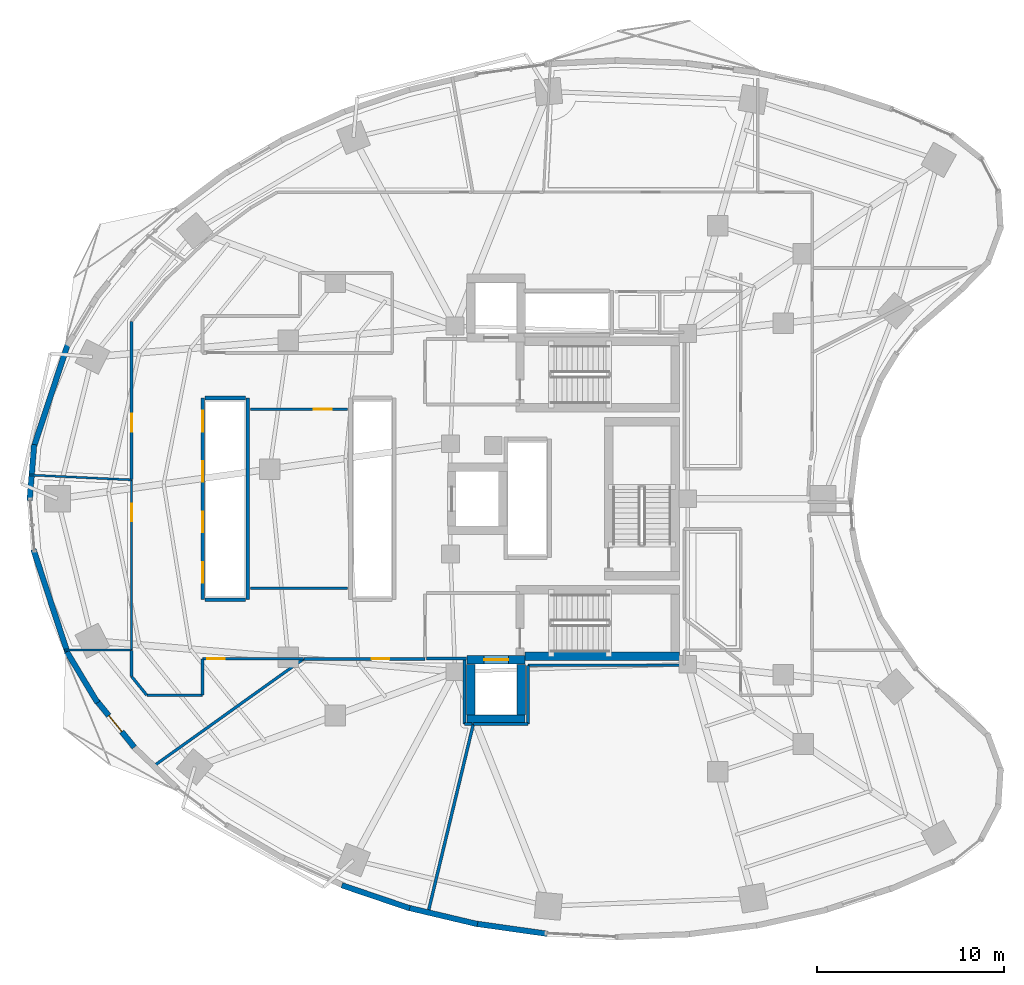
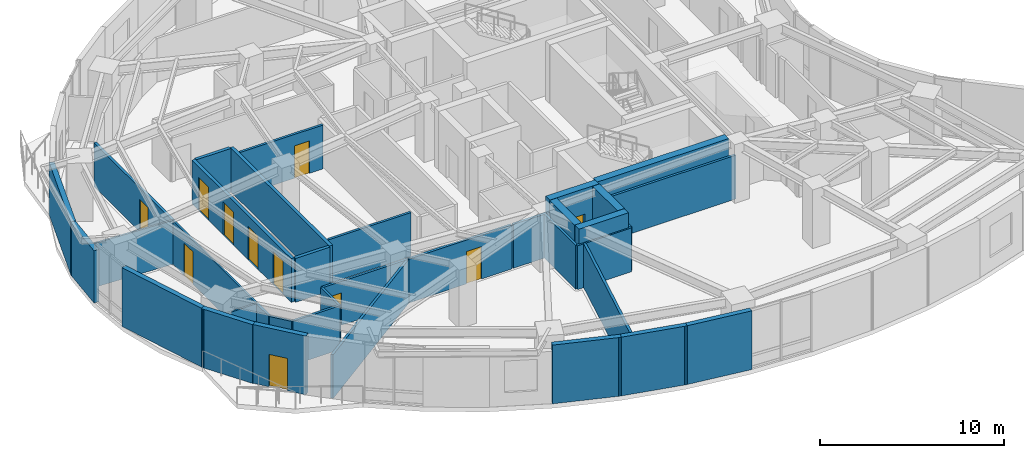
# One storey, part 8 of 15: 37 walls, 11 doors, 11 openings.
"""IFC4 building model written with IfcOpenShell, lengths in metres."""

from ifc_helpers import new_model, si_unit, direction, frame, frame_2d, origin, place, context, subcontext, project, spatial, rectangle, extrude, material, layer, layer_set, type_object, element, fill, save


model = new_model("IFC4")

# Units and contexts
model_context = context("Model", 3, precision=1e-05, world=origin(), true_north=direction((0.0, 1.0)))
body_context = subcontext(model_context, "Body", "Model", "MODEL_VIEW")
ifc_project = project(units=[si_unit("LENGTHUNIT", "METRE"), si_unit("AREAUNIT", "SQUARE_METRE"), si_unit("VOLUMEUNIT", "CUBIC_METRE"), si_unit("PLANEANGLEUNIT", "RADIAN"), si_unit("MASSUNIT", "GRAM", prefix="KILO")], contexts=[model_context])

# Site, building, storey
site_placement = place(None, origin())
site = spatial("IfcSite", under=ifc_project, at=site_placement, CompositionType="ELEMENT")
building_placement = place(site_placement, origin())
building = spatial("IfcBuilding", under=site, at=building_placement, Name="Korentha Bioscience Tower", CompositionType="ELEMENT")
storey_placement = place(building_placement, frame((0.0, 0.0, 30.0)))
storey = spatial("IfcBuildingStorey", under=building, at=storey_placement, Name="L06", CompositionType="ELEMENT", Elevation=30.0)

# Wall, opening, door
ifc_material_1 = material(Name="Double-Stud Acoustic Gypsum", Category="gypsum")
ifc_layer_1 = layer(ifc_material_1, 0.14990234375, Name="Double-Stud Acoustic Gypsum")
ifc_layer_set_1 = layer_set([ifc_layer_1], Name="Double-Stud Acoustic Gypsum (IW-L150)")
wall_type_1 = type_object("IfcWallType", Name="Acoustic Laboratory Partition Wall 150", PredefinedType="PARTITIONING", material=ifc_layer_set_1)
wall_1_placement = place(storey_placement, frame((14.159912109375, 31.7900390625, 0.0), z_axis=(0.0, 0.0, 1.0), x_axis=(1.0, 0.0, 0.0)))
wall_1 = element("IfcWall", 1, at=wall_1_placement, inside=storey, type_object=wall_type_1, Name="L06 Principal Investigator Office 01 Entrance Wall", PredefinedType="PARTITIONING", context=body_context, shape_type="SweptSolid", body=[
    extrude(rectangle(XDim=5.18017578125, YDim=0.14990234375, at=frame_2d((2.590087890625, 0.0))), origin(), (0.0, 0.0, 1.0), 2.909912109375),
])
opening_1_placement = place(wall_1_placement, frame((3.37841796875, 0.0, 0.0)))
opening_1 = element("IfcOpeningElement", 2, at=opening_1_placement, cuts=wall_1, Name="Opening ID-10L", PredefinedType="OPENING", context=body_context, shape_type="SweptSolid", body=[
    extrude(rectangle(XDim=0.949951171875, YDim=2.14990234375, at=frame_2d((0.47509765625, 1.074951171875))), frame((0.0, 0.08984375, 0.0), z_axis=(0.0, -1.0, 0.0), x_axis=(1.0, 0.0, 0.0)), (0.0, 0.0, 1.0), 0.1796875),
])
ifc_material_2 = material(Name="Phenolic Laminate Timber Core", Category="wood")
door_type_1 = type_object("IfcDoorType", Name="Laboratory Single Leaf Door 950x2150 Left", OperationType="SINGLE_SWING_LEFT", PredefinedType="DOOR", material=ifc_material_2)
door_1_placement = place(opening_1_placement, origin())
door_1 = element("IfcDoor", 3, at=door_1_placement, inside=storey, type_object=door_type_1, Name="L06 Principal Investigator Office 01 Door", OperationType="SINGLE_SWING_LEFT", OverallHeight=2.14990234375, OverallWidth=0.949951171875, PredefinedType="DOOR", context=body_context, shape_type="SweptSolid", body=[
    extrude(rectangle(XDim=0.949951171875, YDim=2.14990234375, at=frame_2d((0.47509765625, 1.074951171875))), frame((0.0, 0.02490234375, 0.0), z_axis=(0.0, -1.0, 0.0), x_axis=(1.0, 0.0, 0.0)), (0.0, 0.0, 1.0), 0.050048828125),
])
fill(opening_1, door_1)

wall_2_placement = place(storey_placement, frame((11.590087890625, 18.43994140625, 0.0), z_axis=(0.0, 0.0, 1.0), x_axis=(1.0, 0.0, 0.0)))
wall_2 = element("IfcWall", 4, at=wall_2_placement, inside=storey, type_object=wall_type_1, Name="L06 Staff Pantry Kitchenette 03 Entrance Wall", PredefinedType="PARTITIONING", context=body_context, shape_type="SweptSolid", body=[
    extrude(rectangle(XDim=5.4111328125, YDim=0.14990234375, at=frame_2d((2.70556640625, 0.0))), origin(), (0.0, 0.0, 1.0), 2.909912109375),
])
opening_2_placement = place(wall_2_placement, frame((0.239990234375, 0.0, 0.0)))
opening_2 = element("IfcOpeningElement", 5, at=opening_2_placement, cuts=wall_2, Name="Opening ID-10L", PredefinedType="OPENING", context=body_context, shape_type="SweptSolid", body=[
    extrude(rectangle(XDim=0.949951171875, YDim=2.14990234375, at=frame_2d((0.47509765625, 1.074951171875))), frame((0.0, 0.08984375, 0.0), z_axis=(0.0, -1.0, 0.0), x_axis=(1.0, 0.0, 0.0)), (0.0, 0.0, 1.0), 0.1796875),
])
door_2_placement = place(opening_2_placement, origin())
door_2 = element("IfcDoor", 6, at=door_2_placement, inside=storey, type_object=door_type_1, Name="L06 Staff Pantry Kitchenette 03 Door", OperationType="SINGLE_SWING_LEFT", OverallHeight=2.14990234375, OverallWidth=0.949951171875, PredefinedType="DOOR", context=body_context, shape_type="SweptSolid", body=[
    extrude(rectangle(XDim=0.949951171875, YDim=2.14990234375, at=frame_2d((0.47509765625, 1.074951171875))), frame((0.0, 0.02490234375, 0.0), z_axis=(0.0, -1.0, 0.0), x_axis=(1.0, 0.0, 0.0)), (0.0, 0.0, 1.0), 0.050048828125),
])
fill(opening_2, door_2)

# Walls
wall_3_placement = place(storey_placement, frame((19.340087890625, 22.2099609375, 0.0), z_axis=(0.0, 0.0, 1.0), x_axis=(-1.0, 0.0, 0.0)))
element("IfcWall", 7, at=wall_3_placement, inside=storey, type_object=wall_type_1, Name="L06 Interior Partition 020", PredefinedType="PARTITIONING", context=body_context, shape_type="SweptSolid", body=[
    extrude(rectangle(XDim=5.18017578125, YDim=0.14990234375, at=frame_2d((2.590087890625, 0.0))), origin(), (0.0, 0.0, 1.0), 2.909912109375),
])
wall_4_placement = place(storey_placement, frame((7.7900390625, 18.89208984375, 0.0), z_axis=(0.0, 0.0, 1.0), x_axis=(0.0, -1.0, 0.0)))
element("IfcWall", 8, at=wall_4_placement, inside=storey, type_object=wall_type_1, Name="L06 Interior Partition 023", PredefinedType="PARTITIONING", context=body_context, shape_type="SweptSolid", body=[
    extrude(rectangle(XDim=1.393310546875, YDim=0.14990234375, at=frame_2d((0.69677734375, 0.0))), origin(), (0.0, 0.0, 1.0), 2.909912109375),
])
wall_5_placement = place(storey_placement, frame((7.792236328125, 17.492431640625, 0.0), z_axis=(0.0, 0.0, 1.0), x_axis=(0.629225554682, -0.777222748854, 0.0)))
element("IfcWall", 9, at=wall_5_placement, inside=storey, type_object=wall_type_1, Name="L06 Interior Partition 024", PredefinedType="PARTITIONING", context=body_context, shape_type="SweptSolid", body=[
    extrude(rectangle(XDim=1.28515625, YDim=0.14990234375, at=frame_2d((0.642578125, 0.0))), origin(), (0.0, 0.0, 1.0), 2.909912109375),
])
wall_6_placement = place(storey_placement, frame((8.608642578125, 16.489990234375, 0.0), z_axis=(0.0, 0.0, 1.0), x_axis=(1.0, 0.0, 0.0)))
element("IfcWall", 10, at=wall_6_placement, inside=storey, type_object=wall_type_1, Name="L06 Interior Partition 025", PredefinedType="PARTITIONING", context=body_context, shape_type="SweptSolid", body=[
    extrude(rectangle(XDim=2.971435546875, YDim=0.14990234375, at=frame_2d((1.48583984375, 0.0))), origin(), (0.0, 0.0, 1.0), 2.909912109375),
])
wall_7_placement = place(storey_placement, frame((11.590087890625, 16.5, 0.0), z_axis=(0.0, 0.0, 1.0), x_axis=(0.0, 1.0, 0.0)))
element("IfcWall", 11, at=wall_7_placement, inside=storey, type_object=wall_type_1, Name="L06 Interior Partition 026", PredefinedType="PARTITIONING", context=body_context, shape_type="SweptSolid", body=[
    extrude(rectangle(XDim=1.93994140625, YDim=0.14990234375, at=frame_2d((0.969970703125, 0.0))), origin(), (0.0, 0.0, 1.0), 2.909912109375),
])
wall_8_placement = place(storey_placement, frame((17.001220703125, 18.43994140625, 0.0), z_axis=(0.0, 0.0, 1.0), x_axis=(-0.813397935838, -0.581707656796, 0.0)))
element("IfcWall", 12, at=wall_8_placement, inside=storey, type_object=wall_type_1, Name="L06 Interior Partition 027", PredefinedType="PARTITIONING", context=body_context, shape_type="SweptSolid", body=[
    extrude(rectangle(XDim=9.984130859375, YDim=0.14990234375, at=frame_2d((4.9921875, 0.0))), origin(), (0.0, 0.0, 1.0), 2.909912109375),
])
wall_9_placement = place(storey_placement, frame((29.0, 14.9541015625, 0.0), z_axis=(0.0, 0.0, 1.0), x_axis=(0.0, 1.0, 0.0)))
element("IfcWall", 13, at=wall_9_placement, inside=storey, type_object=wall_type_1, Name="L06 Interior Partition 031", PredefinedType="PARTITIONING", context=body_context, shape_type="SweptSolid", body=[
    extrude(rectangle(XDim=3.135986328125, YDim=0.14990234375, at=frame_2d((1.56787109375, 0.0))), origin(), (0.0, 0.0, 1.0), 2.909912109375),
])
wall_10_placement = place(storey_placement, frame((29.0, 18.090087890625, 0.0), z_axis=(0.0, 0.0, 1.0), x_axis=(1.0, 0.0, 0.0)))
element("IfcWall", 14, at=wall_10_placement, inside=storey, type_object=wall_type_1, Name="L06 Interior Partition 032", PredefinedType="PARTITIONING", context=body_context, shape_type="SweptSolid", body=[
    extrude(rectangle(XDim=8.35009765625, YDim=0.14990234375, at=frame_2d((4.175048828125, 0.0))), origin(), (0.0, 0.0, 1.0), 2.909912109375),
])
wall_11_placement = place(storey_placement, frame((26.088623046875, 14.949951171875, 0.0), z_axis=(0.0, 0.0, 1.0), x_axis=(1.0, 0.0, 0.0)))
element("IfcWall", 15, at=wall_11_placement, inside=storey, type_object=wall_type_1, Name="L06 Interior Partition 039", PredefinedType="PARTITIONING", context=body_context, shape_type="SweptSolid", body=[
    extrude(rectangle(XDim=2.9072265625, YDim=0.14990234375, at=frame_2d((1.45361328125, 0.0))), origin(), (0.0, 0.0, 1.0), 2.909912109375),
])

# Wall, opening, door
ifc_material_3 = material(Name="Fire-Rated Framed Glass", Category="glass")
ifc_layer_2 = layer(ifc_material_3, 0.110107421875, Name="Fire-Rated Framed Glass")
ifc_layer_set_2 = layer_set([ifc_layer_2], Name="Fire-Rated Framed Glass (IW-G110)")
wall_type_2 = type_object("IfcWallType", Name="Demountable Glazed Office Partition 110", PredefinedType="MOVABLE", material=ifc_layer_set_2)
wall_12_placement = place(storey_placement, frame((7.7900390625, 28.012939453125, 0.0), z_axis=(0.0, 0.0, 1.0), x_axis=(0.0, -1.0, 0.0)))
wall_12 = element("IfcWall", 16, at=wall_12_placement, inside=storey, type_object=wall_type_2, Name="L06 Research Colloquium Seminar Room 02 Entrance Wall", PredefinedType="MOVABLE", context=body_context, shape_type="SweptSolid", body=[
    extrude(rectangle(XDim=9.11083984375, YDim=0.110107421875, at=frame_2d((4.555419921875, 0.0))), origin(), (0.0, 0.0, 1.0), 2.909912109375),
])
opening_3_placement = place(wall_12_placement, frame((1.273193359375, 0.0, 0.0)))
opening_3 = element("IfcOpeningElement", 17, at=opening_3_placement, cuts=wall_12, Name="Opening ID-10R", PredefinedType="OPENING", context=body_context, shape_type="SweptSolid", body=[
    extrude(rectangle(XDim=0.949951171875, YDim=2.14990234375, at=frame_2d((0.47509765625, 1.074951171875))), frame((0.0, 0.06982421875, 0.0), z_axis=(0.0, -1.0, 0.0), x_axis=(1.0, 0.0, 0.0)), (0.0, 0.0, 1.0), 0.139892578125),
])
door_type_2 = type_object("IfcDoorType", Name="Laboratory Single Leaf Door 950x2150 Right", OperationType="SINGLE_SWING_RIGHT", PredefinedType="DOOR", material=ifc_material_2)
door_3_placement = place(opening_3_placement, origin())
door_3 = element("IfcDoor", 18, at=door_3_placement, inside=storey, type_object=door_type_2, Name="L06 Research Colloquium Seminar Room 02 Door", OperationType="SINGLE_SWING_RIGHT", OverallHeight=2.14990234375, OverallWidth=0.949951171875, PredefinedType="DOOR", context=body_context, shape_type="SweptSolid", body=[
    extrude(rectangle(XDim=0.949951171875, YDim=2.14990234375, at=frame_2d((0.47509765625, 1.074951171875))), frame((0.0, 0.02490234375, 0.0), z_axis=(0.0, -1.0, 0.0), x_axis=(1.0, 0.0, 0.0)), (0.0, 0.0, 1.0), 0.050048828125),
])
fill(opening_3, door_3)

# Walls
wall_13_placement = place(storey_placement, frame((2.323486328125, 28.274658203125, 0.0), z_axis=(0.0, 0.0, 1.0), x_axis=(0.998855892644, -0.047821603185, 0.0)))
element("IfcWall", 19, at=wall_13_placement, inside=storey, type_object=wall_type_2, Name="L06 Interior Partition 021", PredefinedType="MOVABLE", context=body_context, shape_type="SweptSolid", body=[
    extrude(rectangle(XDim=5.472900390625, YDim=0.110107421875, at=frame_2d((2.736328125, 0.0))), origin(), (0.0, 0.0, 1.0), 2.909912109375),
])
wall_14_placement = place(storey_placement, frame((7.7900390625, 18.902099609375, 0.0), z_axis=(0.0, 0.0, 1.0), x_axis=(-1.0, 0.0, 0.0)))
element("IfcWall", 20, at=wall_14_placement, inside=storey, type_object=wall_type_2, Name="L06 Interior Partition 022", PredefinedType="MOVABLE", context=body_context, shape_type="SweptSolid", body=[
    extrude(rectangle(XDim=3.595947265625, YDim=0.110107421875, at=frame_2d((1.7978515625, 0.0))), origin(), (0.0, 0.0, 1.0), 2.909912109375),
])
ifc_material_4 = material(Name="Gypsum-Clad Steel Stud", Category="steel")
ifc_layer_3 = layer(ifc_material_4, 0.159912109375, Name="Gypsum-Clad Steel Stud")
ifc_layer_set_3 = layer_set([ifc_layer_3], Name="Gypsum-Clad Steel Stud (IW-C160)")
wall_type_3 = type_object("IfcWallType", Name="Fire-Rated Corridor Partition Wall 160", PredefinedType="PARTITIONING", material=ifc_layer_set_3)
wall_15_placement = place(storey_placement, frame((23.580078125, 18.449951171875, 0.0), z_axis=(0.0, 0.0, 1.0), x_axis=(1.0, 0.0, 0.0)))
element("IfcWall", 21, at=wall_15_placement, inside=storey, type_object=wall_type_3, Name="L06 Firefighting Lobby Return Wall FFLS-S", PredefinedType="PARTITIONING", context=body_context, shape_type="SweptSolid", body=[
    extrude(rectangle(XDim=2.119873046875, YDim=0.159912109375, at=frame_2d((1.06005859375, 0.0))), origin(), (0.0, 0.0, 1.0), 2.909912109375),
])

# Wall, opening, door
wall_16_placement = place(storey_placement, frame((17.010986328125, 18.43994140625, 0.0), z_axis=(0.0, 0.0, 1.0), x_axis=(1.0, 0.0, 0.0)))
wall_16 = element("IfcWall", 22, at=wall_16_placement, inside=storey, type_object=wall_type_3, Name="L06 Biospecimen Archive Store 04 Entrance Wall", PredefinedType="PARTITIONING", context=body_context, shape_type="SweptSolid", body=[
    extrude(rectangle(XDim=6.47900390625, YDim=0.159912109375, at=frame_2d((3.239501953125, 0.0))), origin(), (0.0, 0.0, 1.0), 2.909912109375),
])
opening_4_placement = place(wall_16_placement, frame((3.618896484375, 0.0, 0.0)))
opening_4 = element("IfcOpeningElement", 23, at=opening_4_placement, cuts=wall_16, Name="Opening ID-10R", PredefinedType="OPENING", context=body_context, shape_type="SweptSolid", body=[
    extrude(rectangle(XDim=0.949951171875, YDim=2.14990234375, at=frame_2d((0.47509765625, 1.074951171875))), frame((0.0, 0.0947265625, 0.0), z_axis=(0.0, -1.0, 0.0), x_axis=(1.0, 0.0, 0.0)), (0.0, 0.0, 1.0), 0.189697265625),
])
door_4_placement = place(opening_4_placement, origin())
door_4 = element("IfcDoor", 24, at=door_4_placement, inside=storey, type_object=door_type_2, Name="L06 Biospecimen Archive Store 04 Door", OperationType="SINGLE_SWING_RIGHT", OverallHeight=2.14990234375, OverallWidth=0.949951171875, PredefinedType="DOOR", context=body_context, shape_type="SweptSolid", body=[
    extrude(rectangle(XDim=0.949951171875, YDim=2.14990234375, at=frame_2d((0.47509765625, 1.074951171875))), frame((0.0, 0.02490234375, 0.0), z_axis=(0.0, -1.0, 0.0), x_axis=(1.0, 0.0, 0.0)), (0.0, 0.0, 1.0), 0.050048828125),
])
fill(opening_4, door_4)

wall_17_placement = place(storey_placement, frame((7.7900390625, 36.501220703125, 0.0), z_axis=(0.0, 0.0, 1.0), x_axis=(0.0, -1.0, 0.0)))
wall_17 = element("IfcWall", 25, at=wall_17_placement, inside=storey, type_object=wall_type_3, Name="L06 Instrument Calibration Workshop 16 Entrance Wall", PredefinedType="PARTITIONING", context=body_context, shape_type="SweptSolid", body=[
    extrude(rectangle(XDim=8.478271484375, YDim=0.159912109375, at=frame_2d((4.2392578125, 0.0))), origin(), (0.0, 0.0, 1.0), 2.909912109375),
])
opening_5_placement = place(wall_17_placement, frame((4.9501953125, 0.0, 0.0)))
opening_5 = element("IfcOpeningElement", 26, at=opening_5_placement, cuts=wall_17, Name="Opening ID-10R", PredefinedType="OPENING", context=body_context, shape_type="SweptSolid", body=[
    extrude(rectangle(XDim=0.949951171875, YDim=2.14990234375, at=frame_2d((0.47509765625, 1.074951171875))), frame((0.0, 0.0947265625, 0.0), z_axis=(0.0, -1.0, 0.0), x_axis=(1.0, 0.0, 0.0)), (0.0, 0.0, 1.0), 0.189697265625),
])
door_5_placement = place(opening_5_placement, origin())
door_5 = element("IfcDoor", 27, at=door_5_placement, inside=storey, type_object=door_type_2, Name="L06 Instrument Calibration Workshop 16 Door", OperationType="SINGLE_SWING_RIGHT", OverallHeight=2.14990234375, OverallWidth=0.949951171875, PredefinedType="DOOR", context=body_context, shape_type="SweptSolid", body=[
    extrude(rectangle(XDim=0.949951171875, YDim=2.14990234375, at=frame_2d((0.47509765625, 1.074951171875))), frame((0.0, 0.02490234375, 0.0), z_axis=(0.0, -1.0, 0.0), x_axis=(1.0, 0.0, 0.0)), (0.0, 0.0, 1.0), 0.050048828125),
])
fill(opening_5, door_5)

# Walls
wall_18_placement = place(storey_placement, frame((25.60009765625, 18.43603515625, 0.0), z_axis=(0.0, 0.0, 1.0), x_axis=(0.0, -1.0, 0.0)))
element("IfcWall", 28, at=wall_18_placement, inside=storey, type_object=wall_type_3, Name="L06 Interior Partition 028", PredefinedType="PARTITIONING", context=body_context, shape_type="SweptSolid", body=[
    extrude(rectangle(XDim=3.48193359375, YDim=0.159912109375, at=frame_2d((1.740966796875, 0.0))), origin(), (0.0, 0.0, 1.0), 2.909912109375),
])
wall_19_placement = place(storey_placement, frame((25.60400390625, 14.949951171875, 0.0), z_axis=(0.0, 0.0, 1.0), x_axis=(1.0, 0.0, 0.0)))
element("IfcWall", 29, at=wall_19_placement, inside=storey, type_object=wall_type_3, Name="L06 Interior Partition 029", PredefinedType="PARTITIONING", context=body_context, shape_type="SweptSolid", body=[
    extrude(rectangle(XDim=0.389404296875, YDim=0.159912109375, at=frame_2d((0.19482421875, 0.0))), origin(), (0.0, 0.0, 1.0), 2.909912109375),
])
wall_20_placement = place(storey_placement, frame((26.07861328125, 14.949951171875, 0.0), z_axis=(0.0, 0.0, 1.0), x_axis=(-0.233446881406, -0.972369556065, 0.0)))
element("IfcWall", 30, at=wall_20_placement, inside=storey, type_object=wall_type_3, Name="L06 Interior Partition 030", PredefinedType="PARTITIONING", context=body_context, shape_type="SweptSolid", body=[
    extrude(rectangle(XDim=10.491455078125, YDim=0.159912109375, at=frame_2d((5.24560546875, 0.0))), origin(), (0.0, 0.0, 1.0), 2.909912109375),
])

# Wall, opening, door
ifc_material_5 = material(Name="Honed Limestone Precast Concrete C40", Category="masonry")
ifc_layer_4 = layer(ifc_material_5, 0.300048828125, Name="Honed Limestone Precast Concrete C40")
ifc_layer_set_4 = layer_set([ifc_layer_4], Name="Honed Limestone Precast Concrete C40 (EW-ST300)")
wall_type_4 = type_object("IfcWallType", Name="Honed Limestone Cavity Spandrel Wall 300", PredefinedType="STANDARD", material=ifc_layer_set_4)
wall_21_placement = place(storey_placement, frame((5.893798828125, 16.229736328125, 0.0), z_axis=(0.0, 0.0, 1.0), x_axis=(0.629295540187, -0.777166084631, 0.0)))
wall_21 = element("IfcWall", 31, at=wall_21_placement, inside=storey, type_object=wall_type_4, Name="L06 Balcony Threshold Wall 03", PredefinedType="STANDARD", context=body_context, shape_type="SweptSolid", body=[
    extrude(rectangle(XDim=3.24755859375, YDim=0.300048828125, at=frame_2d((1.623779296875, 0.0))), origin(), (0.0, 0.0, 1.0), 3.89990234375),
])
opening_6_placement = place(wall_21_placement, frame((1.07373046875, 0.0, 0.0)))
opening_6 = element("IfcOpeningElement", 32, at=opening_6_placement, cuts=wall_21, Name="Opening BD-11L", PredefinedType="OPENING", context=body_context, shape_type="SweptSolid", body=[
    extrude(rectangle(XDim=1.10009765625, YDim=2.14990234375, at=frame_2d((0.550048828125, 1.074951171875))), frame((0.0, 0.1650390625, 0.0), z_axis=(0.0, -1.0, 0.0), x_axis=(1.0, 0.0, 0.0)), (0.0, 0.0, 1.0), 0.329833984375),
])
ifc_material_6 = material(Name="Thermally Broken Glazed Aluminium", Category="aluminium")
door_type_3 = type_object("IfcDoorType", Name="Balcony Terrace Glazed Door 1100x2150 Left", OperationType="SINGLE_SWING_LEFT", PredefinedType="DOOR", material=ifc_material_6)
door_6_placement = place(opening_6_placement, origin())
door_6 = element("IfcDoor", 33, at=door_6_placement, inside=storey, type_object=door_type_3, Name="L06 Balcony Access Door 03", OperationType="SINGLE_SWING_LEFT", OverallHeight=2.14990234375, OverallWidth=1.10009765625, PredefinedType="DOOR", context=body_context, shape_type="SweptSolid", body=[
    extrude(rectangle(XDim=1.10009765625, YDim=2.14990234375, at=frame_2d((0.550048828125, 1.074951171875))), frame((0.0, 0.02490234375, 0.0), z_axis=(0.0, -1.0, 0.0), x_axis=(1.0, 0.0, 0.0)), (0.0, 0.0, 1.0), 0.050048828125),
])
fill(opening_6, door_6)

# Walls
wall_22_placement = place(storey_placement, frame((4.404296875, 35.361083984375, 0.0), z_axis=(0.0, 0.0, 1.0), x_axis=(-0.31372816724, -0.949512841978, 0.0)))
element("IfcWall", 34, at=wall_22_placement, inside=storey, type_object=wall_type_4, Name="L06 Limestone Perimeter Closure Wall 16", PredefinedType="STANDARD", context=body_context, shape_type="SweptSolid", body=[
    extrude(rectangle(XDim=5.950927734375, YDim=0.300048828125, at=frame_2d((2.9755859375, 0.0))), origin(), (0.0, 0.0, 1.0), 3.469970703125),
])
wall_23_placement = place(storey_placement, frame((2.57568359375, 29.899169921875, 0.0), z_axis=(0.0, 0.0, 1.0), x_axis=(-0.080890160317, -0.996723021689, 0.0)))
element("IfcWall", 35, at=wall_23_placement, inside=storey, type_object=wall_type_4, Name="L06 Limestone Perimeter Closure Wall 18", PredefinedType="STANDARD", context=body_context, shape_type="SweptSolid", body=[
    extrude(rectangle(XDim=3.0, YDim=0.300048828125, at=frame_2d((1.5, 0.0))), origin(), (0.0, 0.0, 1.0), 3.469970703125),
])
wall_24_placement = place(storey_placement, frame((2.537353515625, 24.289306640625, 0.0), z_axis=(0.0, 0.0, 1.0), x_axis=(0.31372816724, -0.949512841978, 0.0)))
element("IfcWall", 36, at=wall_24_placement, inside=storey, type_object=wall_type_4, Name="L06 Limestone Perimeter Closure Wall 20", PredefinedType="STANDARD", context=body_context, shape_type="SweptSolid", body=[
    extrude(rectangle(XDim=5.950927734375, YDim=0.300048828125, at=frame_2d((2.9755859375, 0.0))), origin(), (0.0, 0.0, 1.0), 3.89990234375),
])
wall_25_placement = place(storey_placement, frame((4.324951171875, 18.8115234375, 0.0), z_axis=(0.0, 0.0, 1.0), x_axis=(0.516423528484, -0.856333310825, 0.0)))
element("IfcWall", 37, at=wall_25_placement, inside=storey, type_object=wall_type_4, Name="L06 Limestone Perimeter Closure Wall 22", PredefinedType="STANDARD", context=body_context, shape_type="SweptSolid", body=[
    extrude(rectangle(XDim=3.1826171875, YDim=0.300048828125, at=frame_2d((1.59130859375, 0.0))), origin(), (0.0, 0.0, 1.0), 3.89990234375),
])
wall_26_placement = place(storey_placement, frame((19.0400390625, 6.32080078125, 0.0), z_axis=(0.0, 0.0, 1.0), x_axis=(0.94702579403, -0.321157508773, 0.0)))
element("IfcWall", 38, at=wall_26_placement, inside=storey, type_object=wall_type_4, Name="L06 Limestone Perimeter Closure Wall 28", PredefinedType="STANDARD", context=body_context, shape_type="SweptSolid", body=[
    extrude(rectangle(XDim=3.829833984375, YDim=0.300048828125, at=frame_2d((1.9150390625, 0.0))), origin(), (0.0, 0.0, 1.0), 3.89990234375),
])
wall_27_placement = place(storey_placement, frame((22.50048828125, 5.138427734375, 0.0), z_axis=(0.0, 0.0, 1.0), x_axis=(0.973197600754, -0.229970497863, 0.0)))
element("IfcWall", 39, at=wall_27_placement, inside=storey, type_object=wall_type_4, Name="L06 Limestone Perimeter Closure Wall 29", PredefinedType="STANDARD", context=body_context, shape_type="SweptSolid", body=[
    extrude(rectangle(XDim=3.9013671875, YDim=0.300048828125, at=frame_2d((1.95068359375, 0.0))), origin(), (0.0, 0.0, 1.0), 3.89990234375),
])
wall_28_placement = place(storey_placement, frame((26.127685546875, 4.273193359375, 0.0), z_axis=(0.0, 0.0, 1.0), x_axis=(0.990165832998, -0.139898617443, 0.0)))
element("IfcWall", 40, at=wall_28_placement, inside=storey, type_object=wall_type_4, Name="L06 Limestone Perimeter Closure Wall 30", PredefinedType="STANDARD", context=body_context, shape_type="SweptSolid", body=[
    extrude(rectangle(XDim=3.950927734375, YDim=0.300048828125, at=frame_2d((1.9755859375, 0.0))), origin(), (0.0, 0.0, 1.0), 3.89990234375),
])

# Wall, openings, doors
ifc_material_7 = material(Name="Autoclaved Aerated Concrete Block C25", Category="concrete")
ifc_layer_5 = layer(ifc_material_7, 0.199951171875, Name="Autoclaved Aerated Concrete Block C25")
ifc_layer_set_5 = layer_set([ifc_layer_5], Name="Autoclaved Aerated Concrete Block C25 (IW-S200)")
wall_type_5 = type_object("IfcWallType", Name="Lift and Riser Shaft Enclosure Wall 200", PredefinedType="PARTITIONING", material=ifc_layer_set_5)
wall_29_placement = place(storey_placement, frame((11.60009765625, 21.60009765625, 0.0), z_axis=(0.0, 0.0, 1.0), x_axis=(0.0, 1.0, 0.0)))
wall_29 = element("IfcWall", 41, at=wall_29_placement, inside=storey, type_object=wall_type_5, Name="L06 Lift Bank LOW Shaft Wall -X", PredefinedType="PARTITIONING", context=body_context, shape_type="SweptSolid", body=[
    extrude(rectangle(XDim=10.7998046875, YDim=0.199951171875, at=frame_2d((5.39990234375, 0.0))), origin(), (0.0, 0.0, 1.0), 2.909912109375),
])
opening_7_placement = place(wall_29_placement, frame((0.89990234375, 0.0, 0.0)))
opening_7 = element("IfcOpeningElement", 42, at=opening_7_placement, cuts=wall_29, Name="Opening LD-11", PredefinedType="OPENING", context=body_context, shape_type="SweptSolid", body=[
    extrude(rectangle(XDim=1.10009765625, YDim=2.199951171875, at=frame_2d((0.550048828125, 1.10009765625))), frame((0.0, 0.11474609375, 0.0), z_axis=(0.0, -1.0, 0.0), x_axis=(1.0, 0.0, 0.0)), (0.0, 0.0, 1.0), 0.229736328125),
])
opening_8_placement = place(wall_29_placement, frame((3.60009765625, 0.0, 0.0)))
opening_8 = element("IfcOpeningElement", 43, at=opening_8_placement, cuts=wall_29, Name="Opening LD-11", PredefinedType="OPENING", context=body_context, shape_type="SweptSolid", body=[
    extrude(rectangle(XDim=1.10009765625, YDim=2.199951171875, at=frame_2d((0.550048828125, 1.10009765625))), frame((0.0, 0.11474609375, 0.0), z_axis=(0.0, -1.0, 0.0), x_axis=(1.0, 0.0, 0.0)), (0.0, 0.0, 1.0), 0.229736328125),
])
opening_9_placement = place(wall_29_placement, frame((6.300048828125, 0.0, 0.0)))
opening_9 = element("IfcOpeningElement", 44, at=opening_9_placement, cuts=wall_29, Name="Opening LD-11", PredefinedType="OPENING", context=body_context, shape_type="SweptSolid", body=[
    extrude(rectangle(XDim=1.10009765625, YDim=2.199951171875, at=frame_2d((0.550048828125, 1.10009765625))), frame((0.0, 0.11474609375, 0.0), z_axis=(0.0, -1.0, 0.0), x_axis=(1.0, 0.0, 0.0)), (0.0, 0.0, 1.0), 0.229736328125),
])
opening_10_placement = place(wall_29_placement, frame((9.0, 0.0, 0.0)))
opening_10 = element("IfcOpeningElement", 45, at=opening_10_placement, cuts=wall_29, Name="Opening LD-11", PredefinedType="OPENING", context=body_context, shape_type="SweptSolid", body=[
    extrude(rectangle(XDim=1.10009765625, YDim=2.199951171875, at=frame_2d((0.550048828125, 1.10009765625))), frame((0.0, 0.11474609375, 0.0), z_axis=(0.0, -1.0, 0.0), x_axis=(1.0, 0.0, 0.0)), (0.0, 0.0, 1.0), 0.229736328125),
])
ifc_material_8 = material(Name="Brushed Stainless Steel 304", Category="steel")
door_type_4 = type_object("IfcDoorType", Name="Passenger Lift Sliding Landing Door 1100x2200", OperationType="DOUBLE_DOOR_SLIDING", PredefinedType="DOOR", material=ifc_material_8)
door_7_placement = place(opening_7_placement, origin())
door_7 = element("IfcDoor", 46, at=door_7_placement, inside=storey, type_object=door_type_4, Name="L06 PL-L1 Sliding Lift Landing Door", OperationType="DOUBLE_DOOR_SLIDING", OverallHeight=2.199951171875, OverallWidth=1.10009765625, PredefinedType="DOOR", context=body_context, shape_type="SweptSolid", body=[
    extrude(rectangle(XDim=1.10009765625, YDim=2.199951171875, at=frame_2d((0.550048828125, 1.10009765625))), frame((0.0, 0.02490234375, 0.0), z_axis=(0.0, -1.0, 0.0), x_axis=(1.0, 0.0, 0.0)), (0.0, 0.0, 1.0), 0.050048828125),
])
fill(opening_7, door_7)
door_8_placement = place(opening_8_placement, origin())
door_8 = element("IfcDoor", 47, at=door_8_placement, inside=storey, type_object=door_type_4, Name="L06 PL-L2 Sliding Lift Landing Door", OperationType="DOUBLE_DOOR_SLIDING", OverallHeight=2.199951171875, OverallWidth=1.10009765625, PredefinedType="DOOR", context=body_context, shape_type="SweptSolid", body=[
    extrude(rectangle(XDim=1.10009765625, YDim=2.199951171875, at=frame_2d((0.550048828125, 1.10009765625))), frame((0.0, 0.02490234375, 0.0), z_axis=(0.0, -1.0, 0.0), x_axis=(1.0, 0.0, 0.0)), (0.0, 0.0, 1.0), 0.050048828125),
])
fill(opening_8, door_8)
door_9_placement = place(opening_9_placement, origin())
door_9 = element("IfcDoor", 48, at=door_9_placement, inside=storey, type_object=door_type_4, Name="L06 PL-L3 Sliding Lift Landing Door", OperationType="DOUBLE_DOOR_SLIDING", OverallHeight=2.199951171875, OverallWidth=1.10009765625, PredefinedType="DOOR", context=body_context, shape_type="SweptSolid", body=[
    extrude(rectangle(XDim=1.10009765625, YDim=2.199951171875, at=frame_2d((0.550048828125, 1.10009765625))), frame((0.0, 0.02490234375, 0.0), z_axis=(0.0, -1.0, 0.0), x_axis=(1.0, 0.0, 0.0)), (0.0, 0.0, 1.0), 0.050048828125),
])
fill(opening_9, door_9)
door_10_placement = place(opening_10_placement, origin())
door_10 = element("IfcDoor", 49, at=door_10_placement, inside=storey, type_object=door_type_4, Name="L06 PL-L4 Sliding Lift Landing Door", OperationType="DOUBLE_DOOR_SLIDING", OverallHeight=2.199951171875, OverallWidth=1.10009765625, PredefinedType="DOOR", context=body_context, shape_type="SweptSolid", body=[
    extrude(rectangle(XDim=1.10009765625, YDim=2.199951171875, at=frame_2d((0.550048828125, 1.10009765625))), frame((0.0, 0.02490234375, 0.0), z_axis=(0.0, -1.0, 0.0), x_axis=(1.0, 0.0, 0.0)), (0.0, 0.0, 1.0), 0.050048828125),
])
fill(opening_10, door_10)

# Walls
wall_30_placement = place(storey_placement, frame((14.0, 21.60009765625, 0.0), z_axis=(0.0, 0.0, 1.0), x_axis=(0.0, 1.0, 0.0)))
element("IfcWall", 50, at=wall_30_placement, inside=storey, type_object=wall_type_5, Name="L06 Lift Bank LOW Shaft Wall +X", PredefinedType="PARTITIONING", context=body_context, shape_type="SweptSolid", body=[
    extrude(rectangle(XDim=10.7998046875, YDim=0.199951171875, at=frame_2d((5.39990234375, 0.0))), origin(), (0.0, 0.0, 1.0), 2.909912109375),
])
for number, where, z_axis, x_axis, name in (
    (51, (11.719970703125, 21.60009765625, 0.0), (0.0, 0.0, 1.0), (1.0, 0.0, 0.0), "L06 Lift Bank LOW Shaft Wall -Y"),
    (52, (11.719970703125, 32.39990234375, 0.0), (0.0, 0.0, 1.0), (1.0, 0.0, 0.0), "L06 Lift Bank LOW Shaft Wall +Y"),
):
    element("IfcWall", number, at=place(storey_placement, frame(where, z_axis=z_axis, x_axis=x_axis)), inside=storey, type_object=wall_type_5, Name=name, PredefinedType="PARTITIONING", context=body_context, shape_type="SweptSolid", body=[
        extrude(rectangle(XDim=2.159912109375, YDim=0.199951171875, at=frame_2d((1.080078125, 0.0))), origin(), (0.0, 0.0, 1.0), 2.909912109375),
    ])
ifc_material_9 = material(Name="Concrete C80", Category="concrete")
ifc_layer_6 = layer(ifc_material_9, 0.449951171875, Name="Concrete C80")
ifc_layer_set_6 = layer_set([ifc_layer_6], Name="Concrete C80 (CW-C80)")
wall_type_6 = type_object("IfcWallType", Name="Lower Core Shear Wall 450", PredefinedType="SHEAR", material=ifc_layer_set_6)
wall_31_placement = place(storey_placement, frame((28.85205078125, 18.574951171875, 0.0), z_axis=(0.0, 0.0, 1.0), x_axis=(1.0, 0.0, 0.0)))
element("IfcWall", 53, at=wall_31_placement, inside=storey, type_object=wall_type_6, Name="L06 Core Shear Wall ST2-S", PredefinedType="SHEAR", context=body_context, shape_type="SweptSolid", body=[
    extrude(rectangle(XDim=8.248046875, YDim=0.449951171875, at=frame_2d((4.1240234375, 0.0))), origin(), (0.0, 0.0, 1.0), 3.89990234375),
])
wall_32_placement = place(storey_placement, frame((25.75, 15.199951171875, 0.0), z_axis=(0.0, 0.0, 1.0), x_axis=(1.0, 0.0, 0.0)))
element("IfcWall", 54, at=wall_32_placement, inside=storey, type_object=wall_type_6, Name="L06 Core Shear Wall FFL1-S", PredefinedType="SHEAR", context=body_context, shape_type="SweptSolid", body=[
    extrude(rectangle(XDim=3.10009765625, YDim=0.449951171875, at=frame_2d((1.550048828125, 0.0))), origin(), (0.0, 0.0, 1.0), 3.89990234375),
])

# Wall, opening, door
wall_33_placement = place(storey_placement, frame((25.75, 18.3798828125, 0.0), z_axis=(0.0, 0.0, 1.0), x_axis=(1.0, 0.0, 0.0)))
wall_33 = element("IfcWall", 55, at=wall_33_placement, inside=storey, type_object=wall_type_6, Name="L06 Core Shear Wall FFL1-N", PredefinedType="SHEAR", context=body_context, shape_type="SweptSolid", body=[
    extrude(rectangle(XDim=3.10009765625, YDim=0.449951171875, at=frame_2d((1.550048828125, 0.0))), origin(), (0.0, 0.0, 1.0), 3.89990234375),
])
opening_11_placement = place(wall_33_placement, frame((0.89990234375, 0.0, 0.0)))
opening_11 = element("IfcOpeningElement", 56, at=opening_11_placement, cuts=wall_33, Name="Opening LD-13", PredefinedType="OPENING", context=body_context, shape_type="SweptSolid", body=[
    extrude(rectangle(XDim=1.300048828125, YDim=2.199951171875, at=frame_2d((0.64990234375, 1.10009765625))), frame((0.0, 0.23974609375, 0.0), z_axis=(0.0, -1.0, 0.0), x_axis=(1.0, 0.0, 0.0)), (0.0, 0.0, 1.0), 0.479736328125),
])
ifc_material_10 = material(Name="Brushed Stainless Steel 316", Category="steel")
door_type_5 = type_object("IfcDoorType", Name="Service & Firefighting Lift Landing Door 1300x2300", OperationType="DOUBLE_DOOR_SLIDING", PredefinedType="DOOR", material=ifc_material_10)
door_11_placement = place(opening_11_placement, origin())
door_11 = element("IfcDoor", 57, at=door_11_placement, inside=storey, type_object=door_type_5, Name="L06 FFL-1 Sliding Lift Landing Door", OperationType="DOUBLE_DOOR_SLIDING", OverallHeight=2.199951171875, OverallWidth=1.300048828125, PredefinedType="DOOR", context=body_context, shape_type="SweptSolid", body=[
    extrude(rectangle(XDim=1.300048828125, YDim=2.199951171875, at=frame_2d((0.64990234375, 1.10009765625))), frame((0.0, 0.02490234375, 0.0), z_axis=(0.0, -1.0, 0.0), x_axis=(1.0, 0.0, 0.0)), (0.0, 0.0, 1.0), 0.050048828125),
])
fill(opening_11, door_11)

# Walls
for number, where, z_axis, x_axis, name in (
    (58, (25.949951171875, 15.43994140625, 0.0), (0.0, 0.0, 1.0), (0.0, 1.0, 0.0), "L06 Core Shear Wall FFL1-W"),
    (59, (28.64990234375, 15.43994140625, 0.0), (0.0, 0.0, 1.0), (0.0, 1.0, 0.0), "L06 Core Shear Wall FFL1-E"),
):
    element("IfcWall", number, at=place(storey_placement, frame(where, z_axis=z_axis, x_axis=x_axis)), inside=storey, type_object=wall_type_6, Name=name, PredefinedType="SHEAR", context=body_context, shape_type="SweptSolid", body=[
        extrude(rectangle(XDim=2.699951171875, YDim=0.449951171875, at=frame_2d((1.35009765625, 0.0))), origin(), (0.0, 0.0, 1.0), 3.89990234375),
    ])

save(model, "model.ifc")
